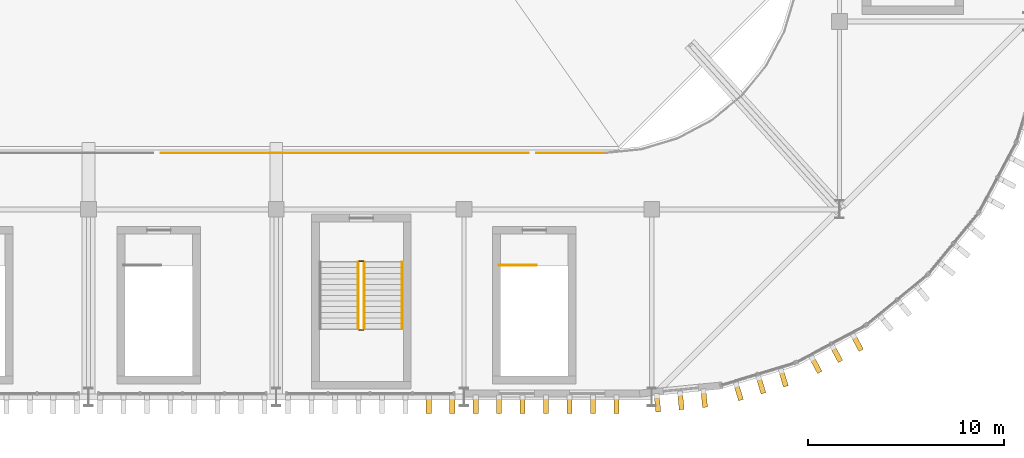
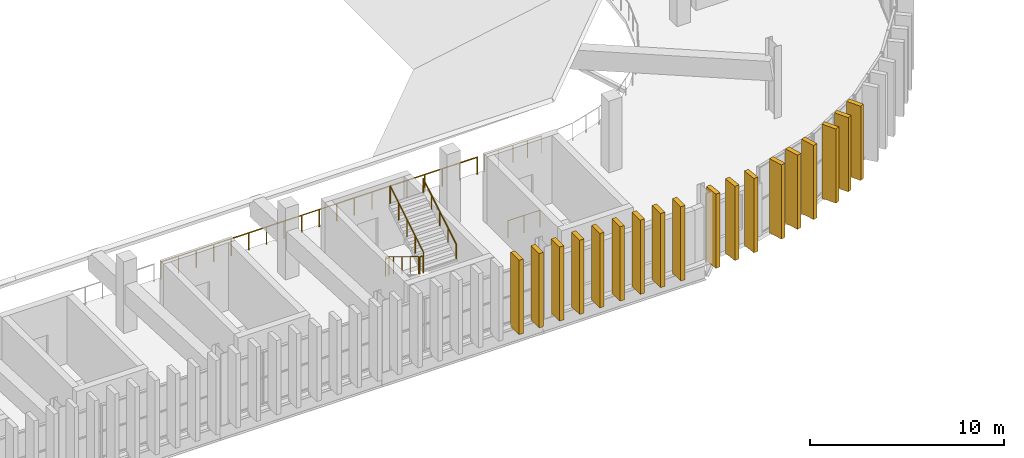
# One storey, part 59 of 69: 18 coverings, 8 railings.
"""IFC4 building model written with IfcOpenShell, lengths in metres."""

from ifc_helpers import new_model, si_unit, direction, frame, origin, origin_2d, place, context, subcontext, project, spatial, rectangle, circle, extrude, material, material_profile, profile_set, type_object, element, save


model = new_model("IFC4")

# Units and contexts
model_context = context("Model", 3, precision=1e-05, world=origin(), true_north=direction((0.0, 1.0)))
body_context = subcontext(model_context, "Body", "Model", "MODEL_VIEW")
ifc_project = project(units=[si_unit("LENGTHUNIT", "METRE"), si_unit("AREAUNIT", "SQUARE_METRE"), si_unit("VOLUMEUNIT", "CUBIC_METRE"), si_unit("PLANEANGLEUNIT", "RADIAN"), si_unit("MASSUNIT", "GRAM", prefix="KILO")], contexts=[model_context])

# Site, building, storey
site_placement = place(None, origin())
site = spatial("IfcSite", under=ifc_project, at=site_placement, CompositionType="ELEMENT")
building_placement = place(site_placement, origin())
building = spatial("IfcBuilding", under=site, at=building_placement, Name="Caelomonte Colonnade Arena", CompositionType="ELEMENT")
storey_placement = place(building_placement, frame((0.0, 0.0, 18.60009765625)))
storey = spatial("IfcBuildingStorey", under=building, at=storey_placement, Name="L04", CompositionType="ELEMENT", Elevation=18.60009765625)

# Coverings
ifc_material_1 = material(Name="Precast travertine cladding", Category="masonry")
ifc_material_profile = material_profile(ifc_material_1, rectangle(XDim=0.260009765625, YDim=0.85009765625, at=origin_2d()), Name="FIN260X850")
ifc_profile_set = profile_set([ifc_material_profile], Name="Precast travertine cladding")
covering_type = type_object("IfcCoveringType", Name="ENV-FN-SHAFT", PredefinedType="CLADDING", material=ifc_profile_set)
for number, where, z_axis, x_axis, name in (
    (1, (144.29541015625, 18.865234375, -0.16015625), (0.0, 0.0, 1.0), (-0.995184897743, -0.098015403404, 0.0), "V1 L04 classical travertine vertical fin 1"),
    (2, (145.48974609375, 18.98291015625, -0.16015625), (0.0, 0.0, 1.0), (-0.995184897743, -0.098015403404, 0.0), "V1 L04 classical travertine vertical fin 2"),
    (3, (146.683837890625, 19.100341796875, -0.16015625), (0.0, 0.0, 1.0), (-0.995184897743, -0.098015403404, 0.0), "V1 L04 classical travertine vertical fin 3"),
    (4, (148.4404296875, 19.44970703125, -0.16015625), (0.0, 0.0, 1.0), (-0.956942868907, -0.290276326364, 0.0), "V1 L04 classical travertine vertical fin 4"),
    (5, (149.5888671875, 19.798095703125, -0.16015625), (0.0, 0.0, 1.0), (-0.956942868907, -0.290276326364, 0.0), "V1 L04 classical travertine vertical fin 5"),
    (6, (150.7373046875, 20.146484375, -0.16015625), (0.0, 0.0, 1.0), (-0.956942868907, -0.290276326364, 0.0), "V1 L04 classical travertine vertical fin 6"),
    (7, (152.391845703125, 20.831787109375, -0.16015625), (0.0, 0.0, 1.0), (-0.881921264348, -0.471396736826, 0.0), "V1 L04 classical travertine vertical fin 7"),
    (8, (153.4501953125, 21.3974609375, -0.16015625), (0.0, 0.0, 1.0), (-0.881921264348, -0.471396736826, 0.0), "V1 L04 classical travertine vertical fin 8"),
    (9, (154.508544921875, 21.963134765625, -0.16015625), (0.0, 0.0, 1.0), (-0.881921264348, -0.471396736826, 0.0), "V1 L04 classical travertine vertical fin 9"),
    (10, (132.60009765625, 18.779052734375, -0.16015625), (0.0, 0.0, 1.0), (-1.0, 0.0, 0.0), "V1 L04 classical travertine vertical fin 284"),
    (11, (133.800048828125, 18.779052734375, -0.16015625), (0.0, 0.0, 1.0), (-1.0, 0.0, 0.0), "V1 L04 classical travertine vertical fin 285"),
    (12, (135.0, 18.779052734375, -0.16015625), (0.0, 0.0, 1.0), (-1.0, 0.0, 0.0), "V1 L04 classical travertine vertical fin 286"),
    (13, (136.199951171875, 18.779052734375, -0.16015625), (0.0, 0.0, 1.0), (-1.0, 0.0, 0.0), "V1 L04 classical travertine vertical fin 287"),
    (14, (137.39990234375, 18.779052734375, -0.16015625), (0.0, 0.0, 1.0), (-1.0, 0.0, 0.0), "V1 L04 classical travertine vertical fin 288"),
    (15, (138.60009765625, 18.779052734375, -0.16015625), (0.0, 0.0, 1.0), (-1.0, 0.0, 0.0), "V1 L04 classical travertine vertical fin 289"),
    (16, (139.800048828125, 18.779052734375, -0.16015625), (0.0, 0.0, 1.0), (-1.0, 0.0, 0.0), "V1 L04 classical travertine vertical fin 290"),
    (17, (141.0, 18.779052734375, -0.16015625), (0.0, 0.0, 1.0), (-1.0, 0.0, 0.0), "V1 L04 classical travertine vertical fin 291"),
    (18, (142.199951171875, 18.779052734375, -0.16015625), (0.0, 0.0, 1.0), (-1.0, 0.0, 0.0), "V1 L04 classical travertine vertical fin 292"),
):
    element("IfcCovering", number, at=place(storey_placement, frame(where, z_axis=z_axis, x_axis=x_axis)), inside=storey, type_object=covering_type, Name=name, PredefinedType="CLADDING", context=body_context, shape_type="SweptSolid", body=[
        extrude(rectangle(XDim=0.260009765625, YDim=0.85009765625, at=origin_2d()), origin(), (0.0, 0.0, 1.0), 4.66015625),
    ])

# Railings
ifc_material_2 = material(Name="Painted galvanized steel handrail and posts", Category="steel")
railing_type_1 = type_object("IfcRailingType", Name="ENV-RL-GRD1", PredefinedType="GUARDRAIL", material=ifc_material_2)
railing_1_placement = place(storey_placement, frame((118.906982421875, 31.679931640625, 0.0)))
element("IfcRailing", 19, at=railing_1_placement, inside=storey, type_object=railing_type_1, Name="L04 upper concourse bowl guard 8", PredefinedType="GUARDRAIL", context=body_context, shape_type="SweptSolid", body=[
    extrude(circle(Radius=0.02392578125, at=origin_2d()), frame((0.0, 0.0, 1.076171875), z_axis=(1.0, 0.0, 0.0), x_axis=(0.0, 1.0, 0.0)), (0.0, 0.0, 1.0), 18.7861328125),
    extrude(circle(Radius=0.02099609375, at=origin_2d()), origin(), (0.0, 0.0, 1.0), 1.048095703125),
    extrude(circle(Radius=0.02099609375, at=origin_2d()), frame((1.043701171875, 0.0, 0.0)), (0.0, 0.0, 1.0), 1.048095703125),
    extrude(circle(Radius=0.02099609375, at=origin_2d()), frame((2.08740234375, 0.0, 0.0)), (0.0, 0.0, 1.0), 1.048095703125),
    extrude(circle(Radius=0.02099609375, at=origin_2d()), frame((3.131103515625, 0.0, 0.0)), (0.0, 0.0, 1.0), 1.048095703125),
    extrude(circle(Radius=0.02099609375, at=origin_2d()), frame((4.1748046875, 0.0, 0.0)), (0.0, 0.0, 1.0), 1.048095703125),
    extrude(circle(Radius=0.02099609375, at=origin_2d()), frame((5.21826171875, 0.0, 0.0)), (0.0, 0.0, 1.0), 1.048095703125),
    extrude(circle(Radius=0.02099609375, at=origin_2d()), frame((6.261962890625, 0.0, 0.0)), (0.0, 0.0, 1.0), 1.048095703125),
    extrude(circle(Radius=0.02099609375, at=origin_2d()), frame((7.3056640625, 0.0, 0.0)), (0.0, 0.0, 1.0), 1.048095703125),
    extrude(circle(Radius=0.02099609375, at=origin_2d()), frame((8.349365234375, 0.0, 0.0)), (0.0, 0.0, 1.0), 1.048095703125),
    extrude(circle(Radius=0.02099609375, at=origin_2d()), frame((9.39306640625, 0.0, 0.0)), (0.0, 0.0, 1.0), 1.048095703125),
    extrude(circle(Radius=0.02099609375, at=origin_2d()), frame((10.436767578125, 0.0, 0.0)), (0.0, 0.0, 1.0), 1.048095703125),
    extrude(circle(Radius=0.02099609375, at=origin_2d()), frame((11.48046875, 0.0, 0.0)), (0.0, 0.0, 1.0), 1.048095703125),
    extrude(circle(Radius=0.02099609375, at=origin_2d()), frame((12.524169921875, 0.0, 0.0)), (0.0, 0.0, 1.0), 1.048095703125),
    extrude(circle(Radius=0.02099609375, at=origin_2d()), frame((13.56787109375, 0.0, 0.0)), (0.0, 0.0, 1.0), 1.048095703125),
    extrude(circle(Radius=0.02099609375, at=origin_2d()), frame((14.611328125, 0.0, 0.0)), (0.0, 0.0, 1.0), 1.048095703125),
    extrude(circle(Radius=0.02099609375, at=origin_2d()), frame((15.655029296875, 0.0, 0.0)), (0.0, 0.0, 1.0), 1.048095703125),
    extrude(circle(Radius=0.02099609375, at=origin_2d()), frame((16.69873046875, 0.0, 0.0)), (0.0, 0.0, 1.0), 1.048095703125),
    extrude(circle(Radius=0.02099609375, at=origin_2d()), frame((17.742431640625, 0.0, 0.0)), (0.0, 0.0, 1.0), 1.048095703125),
    extrude(circle(Radius=0.02099609375, at=origin_2d()), frame((18.7861328125, 0.0, 0.0)), (0.0, 0.0, 1.0), 1.048095703125),
])
railing_2_placement = place(storey_placement, frame((138.10693359375, 31.679931640625, 0.0)))
element("IfcRailing", 20, at=railing_2_placement, inside=storey, type_object=railing_type_1, Name="L04 upper concourse bowl guard 9", PredefinedType="GUARDRAIL", context=body_context, shape_type="SweptSolid", body=[
    extrude(circle(Radius=0.02392578125, at=origin_2d()), frame((0.0, 0.0, 1.076171875), z_axis=(1.0, 0.0, 0.0), x_axis=(0.0, 1.0, 0.0)), (0.0, 0.0, 1.0), 3.4130859375),
    extrude(circle(Radius=0.02099609375, at=origin_2d()), origin(), (0.0, 0.0, 1.0), 1.048095703125),
    extrude(circle(Radius=0.02099609375, at=origin_2d()), frame((0.853271484375, 0.0, 0.0)), (0.0, 0.0, 1.0), 1.048095703125),
    extrude(circle(Radius=0.02099609375, at=origin_2d()), frame((1.70654296875, 0.0, 0.0)), (0.0, 0.0, 1.0), 1.048095703125),
    extrude(circle(Radius=0.02099609375, at=origin_2d()), frame((2.559814453125, 0.0, 0.0)), (0.0, 0.0, 1.0), 1.048095703125),
    extrude(circle(Radius=0.02099609375, at=origin_2d()), frame((3.4130859375, 0.0, 0.0)), (0.0, 0.0, 1.0), 1.048095703125),
])
ifc_material_3 = material(Name="Painted galvanized steel stair guard", Category="steel")
railing_type_2 = type_object("IfcRailingType", Name="INT-RL-GRD", PredefinedType="GUARDRAIL", material=ifc_material_3)
railing_3_placement = place(storey_placement, frame((129.0, 26.10009765625, 0.173095703125)))
element("IfcRailing", 21, at=railing_3_placement, inside=storey, type_object=railing_type_2, Name="L04 ST-13 stair guard 1", PredefinedType="GUARDRAIL", context=body_context, shape_type="SweptSolid", body=[
    extrude(circle(Radius=0.02392578125, at=origin_2d()), frame((0.0, 0.0, 1.076171875), z_axis=(0.0, -0.854745945586, 0.519046595696), x_axis=(1.0, 0.0, 0.0)), (0.0, 0.0, 1.0), 4.00146484375),
    extrude(circle(Radius=0.02099609375, at=origin_2d()), origin(), (0.0, 0.0, 1.0), 1.048095703125),
    extrude(circle(Radius=0.02099609375, at=origin_2d()), frame((0.0, -0.85498046875, 0.519287109375)), (0.0, 0.0, 1.0), 1.048095703125),
    extrude(circle(Radius=0.02099609375, at=origin_2d()), frame((0.0, -1.7099609375, 1.03857421875)), (0.0, 0.0, 1.0), 1.048095703125),
    extrude(circle(Radius=0.02099609375, at=origin_2d()), frame((0.0, -2.565185546875, 1.5576171875)), (0.0, 0.0, 1.0), 1.048095703125),
    extrude(circle(Radius=0.02099609375, at=origin_2d()), frame((0.0, -3.420166015625, 2.076904296875)), (0.0, 0.0, 1.0), 1.048095703125),
])
railing_4_placement = place(storey_placement, frame((129.050048828125, 22.6298828125, 2.25)))
element("IfcRailing", 22, at=railing_4_placement, inside=storey, type_object=railing_type_2, Name="L04 ST-13 stair guard 2", PredefinedType="GUARDRAIL", context=body_context, shape_type="SweptSolid", body=[
    extrude(circle(Radius=0.02392578125, at=origin_2d()), frame((0.0, 0.0, 1.076171875), z_axis=(1.0, 0.0, 0.0), x_axis=(0.0, 1.0, 0.0)), (0.0, 0.0, 1.0), 0.199951171875),
    extrude(circle(Radius=0.02099609375, at=origin_2d()), origin(), (0.0, 0.0, 1.0), 1.048095703125),
    extrude(circle(Radius=0.02099609375, at=origin_2d()), frame((0.199951171875, 0.0, 0.0)), (0.0, 0.0, 1.0), 1.048095703125),
])
railing_5_placement = place(storey_placement, frame((129.300048828125, 22.679931640625, 2.423095703125)))
element("IfcRailing", 23, at=railing_5_placement, inside=storey, type_object=railing_type_2, Name="L04 ST-13 stair guard 3", PredefinedType="GUARDRAIL", context=body_context, shape_type="SweptSolid", body=[
    extrude(circle(Radius=0.02392578125, at=origin_2d()), frame((0.0, 0.0, 1.076171875), z_axis=(0.0, 0.854745945586, 0.519046595696), x_axis=(-1.0, 0.0, 0.0)), (0.0, 0.0, 1.0), 4.00146484375),
    extrude(circle(Radius=0.02099609375, at=origin_2d()), origin(), (0.0, 0.0, 1.0), 1.048095703125),
    extrude(circle(Radius=0.02099609375, at=origin_2d()), frame((0.0, 0.85498046875, 0.519287109375)), (0.0, 0.0, 1.0), 1.048095703125),
    extrude(circle(Radius=0.02099609375, at=origin_2d()), frame((0.0, 1.7099609375, 1.03857421875)), (0.0, 0.0, 1.0), 1.048095703125),
    extrude(circle(Radius=0.02099609375, at=origin_2d()), frame((0.0, 2.565185546875, 1.5576171875)), (0.0, 0.0, 1.0), 1.048095703125),
    extrude(circle(Radius=0.02099609375, at=origin_2d()), frame((0.0, 3.420166015625, 2.076904296875)), (0.0, 0.0, 1.0), 1.048095703125),
])
railing_6_placement = place(storey_placement, frame((129.050048828125, 26.14990234375, 0.0)))
element("IfcRailing", 24, at=railing_6_placement, inside=storey, type_object=railing_type_2, Name="L04 ST-13 stair guard 4", PredefinedType="GUARDRAIL", context=body_context, shape_type="SweptSolid", body=[
    extrude(circle(Radius=0.02392578125, at=origin_2d()), frame((0.0, 0.0, 1.076171875), z_axis=(1.0, 0.0, 0.0), x_axis=(0.0, 1.0, 0.0)), (0.0, 0.0, 1.0), 0.199951171875),
    extrude(circle(Radius=0.02099609375, at=origin_2d()), origin(), (0.0, 0.0, 1.0), 1.048095703125),
    extrude(circle(Radius=0.02099609375, at=origin_2d()), frame((0.199951171875, 0.0, 0.0)), (0.0, 0.0, 1.0), 1.048095703125),
])
railing_7_placement = place(storey_placement, frame((136.199951171875, 25.949951171875, 0.0)))
element("IfcRailing", 25, at=railing_7_placement, inside=storey, type_object=railing_type_2, Name="L04 ST-V12 top well guard 1", PredefinedType="GUARDRAIL", context=body_context, shape_type="SweptSolid", body=[
    extrude(circle(Radius=0.02392578125, at=origin_2d()), frame((0.0, 0.0, 1.076171875), z_axis=(1.0, 0.0, 0.0), x_axis=(0.0, 1.0, 0.0)), (0.0, 0.0, 1.0), 1.900146484375),
    extrude(circle(Radius=0.02099609375, at=origin_2d()), origin(), (0.0, 0.0, 1.0), 1.048095703125),
    extrude(circle(Radius=0.02099609375, at=origin_2d()), frame((0.9501953125, 0.0, 0.0)), (0.0, 0.0, 1.0), 1.048095703125),
    extrude(circle(Radius=0.02099609375, at=origin_2d()), frame((1.900146484375, 0.0, 0.0)), (0.0, 0.0, 1.0), 1.048095703125),
])
ifc_material_4 = material(Name="Brushed stainless steel stair handrail", Category="steel")
railing_type_3 = type_object("IfcRailingType", Name="INT-RL-HR", PredefinedType="HANDRAIL", material=ifc_material_4)
railing_8_placement = place(storey_placement, frame((131.25, 22.679931640625, 2.423095703125)))
element("IfcRailing", 26, at=railing_8_placement, inside=storey, type_object=railing_type_3, Name="L04 ST-13 stair handrail 2", PredefinedType="HANDRAIL", context=body_context, shape_type="SweptSolid", body=[
    extrude(circle(Radius=0.02392578125, at=origin_2d()), frame((0.0, 0.0, 0.8759765625), z_axis=(0.0, 0.854745945586, 0.519046595696), x_axis=(-1.0, 0.0, 0.0)), (0.0, 0.0, 1.0), 4.00146484375),
    extrude(circle(Radius=0.02099609375, at=origin_2d()), origin(), (0.0, 0.0, 1.0), 0.847900390625),
    extrude(circle(Radius=0.02099609375, at=origin_2d()), frame((0.0, 0.85498046875, 0.519287109375)), (0.0, 0.0, 1.0), 0.847900390625),
    extrude(circle(Radius=0.02099609375, at=origin_2d()), frame((0.0, 1.7099609375, 1.03857421875)), (0.0, 0.0, 1.0), 0.847900390625),
    extrude(circle(Radius=0.02099609375, at=origin_2d()), frame((0.0, 2.565185546875, 1.5576171875)), (0.0, 0.0, 1.0), 0.847900390625),
    extrude(circle(Radius=0.02099609375, at=origin_2d()), frame((0.0, 3.420166015625, 2.076904296875)), (0.0, 0.0, 1.0), 0.847900390625),
])

save(model, "model.ifc")
